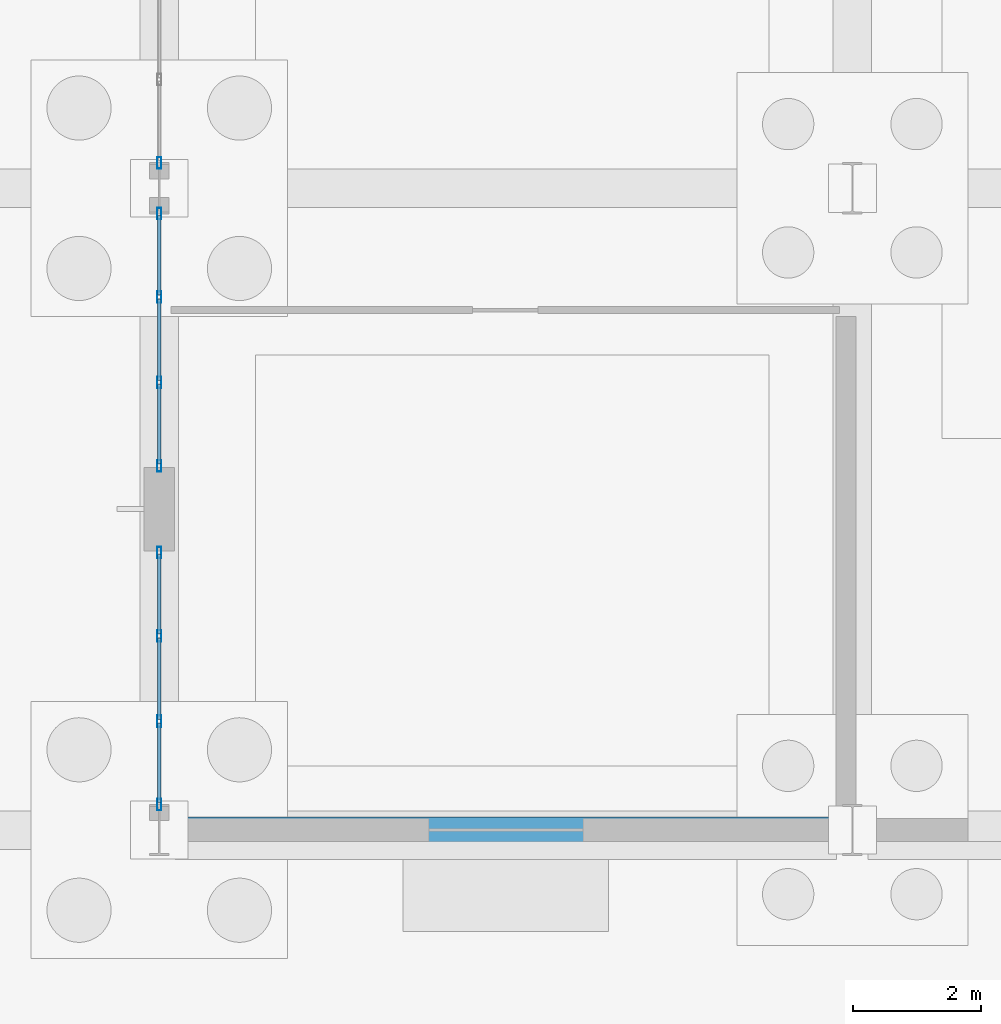
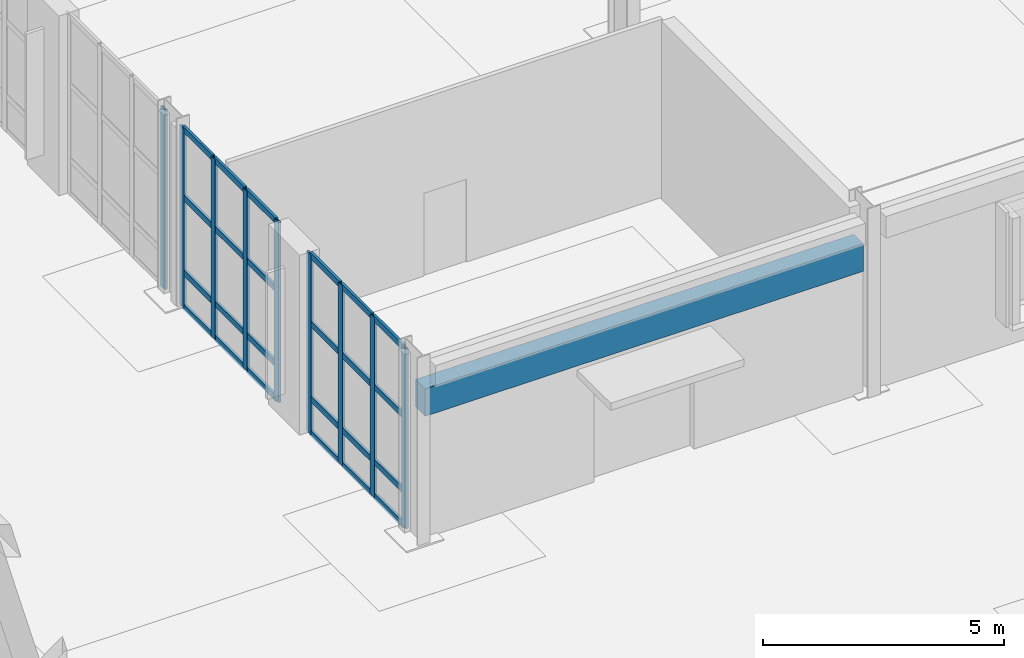
# One storey, part 28 of 73: 33 members, 1 beam, 3 elements without a shape of their own.
"""IFC4 building model written with IfcOpenShell, lengths in metres."""

from ifc_helpers import new_model, si_unit, direction, frame, origin, origin_2d, place, context, subcontext, project, spatial, rectangle, hollow_rectangle, extrude, material, layer, layer_set, material_profile, profile_set, type_object, element, aggregate, save


model = new_model("IFC4")

# Units and contexts
model_context = context("Model", 3, precision=1e-05, world=origin(), true_north=direction((0.0, 1.0)))
body_context = subcontext(model_context, "Body", "Model", "MODEL_VIEW")
ifc_project = project(units=[si_unit("LENGTHUNIT", "METRE"), si_unit("AREAUNIT", "SQUARE_METRE"), si_unit("VOLUMEUNIT", "CUBIC_METRE"), si_unit("PLANEANGLEUNIT", "RADIAN"), si_unit("MASSUNIT", "GRAM", prefix="KILO")], contexts=[model_context])

# Site, building, storey
site_placement = place(None, origin())
site = spatial("IfcSite", under=ifc_project, at=site_placement, CompositionType="ELEMENT")
building_placement = place(site_placement, origin())
building = spatial("IfcBuilding", under=site, at=building_placement, Name="Tasgan Crest Museum", CompositionType="ELEMENT")
storey_placement = place(building_placement, origin())
storey = spatial("IfcBuildingStorey", under=building, at=storey_placement, Name="L00", CompositionType="ELEMENT", Elevation=0.0)

# Beam
ifc_material_1 = material(Name="Precast concrete C40/50", Category="concrete")
ifc_material_profile_1 = material_profile(ifc_material_1, rectangle(XDim=0.39990234375, YDim=0.699951171875, at=origin_2d()), Name="RC 400x700")
ifc_profile_set_1 = profile_set([ifc_material_profile_1], Name="Precast concrete C40/50")
beam_type = type_object("IfcBeamType", Name="BM-LINTEL-1", PredefinedType="LINTEL", material=ifc_profile_set_1)
beam_placement = place(storey_placement, frame((64.945068359375, 20.0, 3.449951171875), z_axis=(1.0, 0.0, 0.0), x_axis=(0.0, 1.0, 0.0)))
element("IfcBeam", 1, at=beam_placement, inside=storey, type_object=beam_type, Name="Portal lintel beam 01", PredefinedType="LINTEL", context=body_context, shape_type="SweptSolid", body=[
    extrude(rectangle(XDim=0.39990234375, YDim=0.699951171875, at=origin_2d()), origin(), (0.0, 0.0, 1.0), 10.510009765625),
])

# Curtain wall, member
ifc_material_2 = material(Name="Triple-Glazed Aluminium Curtain Wall", Category="aluminium")
ifc_layer = layer(ifc_material_2, 0.179931640625, Name="CW-PORCH-Y")
ifc_layer_set = layer_set([ifc_layer], Name="Triple-Glazed Aluminium Curtain Wall")
curtain_wall_type = type_object("IfcCurtainWallType", Name="CW-PORCH-Y", PredefinedType="NOTDEFINED", material=ifc_layer_set)
curtain_wall_1_placement = place(storey_placement, origin())
curtain_wall_1 = element("IfcCurtainWall", 2, at=curtain_wall_1_placement, inside=storey, type_object=curtain_wall_type, Name="Curtain wall L00 004", PredefinedType="NOTDEFINED")
ifc_material_3 = material(Name="Anodised Aluminium", Category="aluminium")
ifc_material_profile_2 = material_profile(ifc_material_3, hollow_rectangle(XDim=0.06494140625, YDim=0.179931640625, WallThickness=0.0048828125, at=origin_2d()), Name="ALU MULLION 180x65x5")
ifc_profile_set_2 = profile_set([ifc_material_profile_2], Name="Anodised Aluminium")
member_type_1 = type_object("IfcMemberType", Name="CW-MULLION-180", PredefinedType="MULLION", material=ifc_profile_set_2)
member_1_placement = place(storey_placement, frame((64.800048828125, 30.39501953125, 0.0), z_axis=(0.0, 0.0, 1.0), x_axis=(1.0, 0.0, 0.0)))
member_1 = element("IfcMember", 3, at=member_1_placement, type_object=member_type_1, Name="CW02 mullion 4", PredefinedType="MULLION", context=body_context, shape_type="SweptSolid", body=[
    extrude(hollow_rectangle(XDim=0.06494140625, YDim=0.179931640625, WallThickness=0.0048828125, at=origin_2d()), origin(), (0.0, 0.0, 1.0), 4.56005859375),
])
aggregate(curtain_wall_1, [member_1])

# Curtain wall, members
curtain_wall_2_placement = place(storey_placement, origin())
curtain_wall_2 = element("IfcCurtainWall", 4, at=curtain_wall_2_placement, inside=storey, type_object=curtain_wall_type, Name="Curtain wall L00 005", PredefinedType="NOTDEFINED")
member_2_placement = place(storey_placement, frame((64.800048828125, 29.60498046875, 0.0), z_axis=(0.0, 0.0, 1.0), x_axis=(1.0, 0.0, 0.0)))
member_2 = element("IfcMember", 5, at=member_2_placement, type_object=member_type_1, Name="CW02 mullion 1", PredefinedType="MULLION", context=body_context, shape_type="SweptSolid", body=[
    extrude(hollow_rectangle(XDim=0.06494140625, YDim=0.179931640625, WallThickness=0.0048828125, at=origin_2d()), origin(), (0.0, 0.0, 1.0), 4.56005859375),
])
member_3_placement = place(storey_placement, frame((64.800048828125, 28.304931640625, 0.0), z_axis=(0.0, 0.0, 1.0), x_axis=(1.0, 0.0, 0.0)))
member_3 = element("IfcMember", 6, at=member_3_placement, type_object=member_type_1, Name="CW02 mullion 2", PredefinedType="MULLION", context=body_context, shape_type="SweptSolid", body=[
    extrude(hollow_rectangle(XDim=0.06494140625, YDim=0.179931640625, WallThickness=0.0048828125, at=origin_2d()), origin(), (0.0, 0.0, 1.0), 4.56005859375),
])
member_4_placement = place(storey_placement, frame((64.800048828125, 26.97509765625, 0.0), z_axis=(0.0, 0.0, 1.0), x_axis=(1.0, 0.0, 0.0)))
member_4 = element("IfcMember", 7, at=member_4_placement, type_object=member_type_1, Name="CW02 mullion 3", PredefinedType="MULLION", context=body_context, shape_type="SweptSolid", body=[
    extrude(hollow_rectangle(XDim=0.06494140625, YDim=0.179931640625, WallThickness=0.0048828125, at=origin_2d()), origin(), (0.0, 0.0, 1.0), 4.56005859375),
])
member_5_placement = place(storey_placement, frame((64.800048828125, 25.675048828125, 0.0), z_axis=(0.0, 0.0, 1.0), x_axis=(1.0, 0.0, 0.0)))
member_5 = element("IfcMember", 8, at=member_5_placement, type_object=member_type_1, Name="CW02 mullion 4", PredefinedType="MULLION", context=body_context, shape_type="SweptSolid", body=[
    extrude(hollow_rectangle(XDim=0.06494140625, YDim=0.179931640625, WallThickness=0.0048828125, at=origin_2d()), origin(), (0.0, 0.0, 1.0), 4.56005859375),
])

curtain_wall_3_placement = place(storey_placement, origin())
curtain_wall_3 = element("IfcCurtainWall", 9, at=curtain_wall_3_placement, inside=storey, type_object=curtain_wall_type, Name="Curtain wall L00 006", PredefinedType="NOTDEFINED")
member_6_placement = place(storey_placement, frame((64.800048828125, 24.324951171875, 0.0), z_axis=(0.0, 0.0, 1.0), x_axis=(1.0, 0.0, 0.0)))
member_6 = element("IfcMember", 10, at=member_6_placement, type_object=member_type_1, Name="CW02 mullion 1", PredefinedType="MULLION", context=body_context, shape_type="SweptSolid", body=[
    extrude(hollow_rectangle(XDim=0.06494140625, YDim=0.179931640625, WallThickness=0.0048828125, at=origin_2d()), origin(), (0.0, 0.0, 1.0), 4.56005859375),
])
member_7_placement = place(storey_placement, frame((64.800048828125, 23.02490234375, 0.0), z_axis=(0.0, 0.0, 1.0), x_axis=(1.0, 0.0, 0.0)))
member_7 = element("IfcMember", 11, at=member_7_placement, type_object=member_type_1, Name="CW02 mullion 2", PredefinedType="MULLION", context=body_context, shape_type="SweptSolid", body=[
    extrude(hollow_rectangle(XDim=0.06494140625, YDim=0.179931640625, WallThickness=0.0048828125, at=origin_2d()), origin(), (0.0, 0.0, 1.0), 4.56005859375),
])
member_8_placement = place(storey_placement, frame((64.800048828125, 21.695068359375, 0.0), z_axis=(0.0, 0.0, 1.0), x_axis=(1.0, 0.0, 0.0)))
member_8 = element("IfcMember", 12, at=member_8_placement, type_object=member_type_1, Name="CW02 mullion 3", PredefinedType="MULLION", context=body_context, shape_type="SweptSolid", body=[
    extrude(hollow_rectangle(XDim=0.06494140625, YDim=0.179931640625, WallThickness=0.0048828125, at=origin_2d()), origin(), (0.0, 0.0, 1.0), 4.56005859375),
])
member_9_placement = place(storey_placement, frame((64.800048828125, 20.39501953125, 0.0), z_axis=(0.0, 0.0, 1.0), x_axis=(1.0, 0.0, 0.0)))
member_9 = element("IfcMember", 13, at=member_9_placement, type_object=member_type_1, Name="CW02 mullion 4", PredefinedType="MULLION", context=body_context, shape_type="SweptSolid", body=[
    extrude(hollow_rectangle(XDim=0.06494140625, YDim=0.179931640625, WallThickness=0.0048828125, at=origin_2d()), origin(), (0.0, 0.0, 1.0), 4.56005859375),
])

# Member
ifc_material_4 = material(Name="Anodised Aluminium", Category="aluminium")
ifc_material_profile_3 = material_profile(ifc_material_4, hollow_rectangle(XDim=0.06005859375, YDim=0.14990234375, WallThickness=0.0048828125, at=origin_2d()), Name="ALU TRANSOM 150x60x5")
ifc_profile_set_3 = profile_set([ifc_material_profile_3], Name="Anodised Aluminium")
member_type_2 = type_object("IfcMemberType", Name="CW-TRANSOM-150", PredefinedType="USERDEFINED", material=ifc_profile_set_3)
member_10_placement = place(storey_placement, frame((64.800048828125, 29.574951171875, 0.030029296875), z_axis=(0.0, -1.0, 0.0), x_axis=(1.0, 0.0, 0.0)))
member_10 = element("IfcMember", 14, at=member_10_placement, type_object=member_type_2, Name="CW02 transom 1.1", ObjectType="TRANSOM", PredefinedType="USERDEFINED", context=body_context, shape_type="SweptSolid", body=[
    extrude(hollow_rectangle(XDim=0.06005859375, YDim=0.14990234375, WallThickness=0.0048828125, at=origin_2d()), origin(), (0.0, 0.0, 1.0), 1.239990234375),
])

member_11_placement = place(storey_placement, frame((64.800048828125, 29.574951171875, 0.89990234375), z_axis=(0.0, -1.0, 0.0), x_axis=(1.0, 0.0, 0.0)))
member_11 = element("IfcMember", 15, at=member_11_placement, type_object=member_type_2, Name="CW02 transom 1.2", ObjectType="TRANSOM", PredefinedType="USERDEFINED", context=body_context, shape_type="SweptSolid", body=[
    extrude(hollow_rectangle(XDim=0.06005859375, YDim=0.14990234375, WallThickness=0.0048828125, at=origin_2d()), origin(), (0.0, 0.0, 1.0), 1.239990234375),
])

member_12_placement = place(storey_placement, frame((64.800048828125, 29.574951171875, 2.800048828125), z_axis=(0.0, -1.0, 0.0), x_axis=(1.0, 0.0, 0.0)))
member_12 = element("IfcMember", 16, at=member_12_placement, type_object=member_type_2, Name="CW02 transom 1.3", ObjectType="TRANSOM", PredefinedType="USERDEFINED", context=body_context, shape_type="SweptSolid", body=[
    extrude(hollow_rectangle(XDim=0.06005859375, YDim=0.14990234375, WallThickness=0.0048828125, at=origin_2d()), origin(), (0.0, 0.0, 1.0), 1.239990234375),
])

member_13_placement = place(storey_placement, frame((64.800048828125, 29.574951171875, 4.530029296875), z_axis=(0.0, -1.0, 0.0), x_axis=(1.0, 0.0, 0.0)))
member_13 = element("IfcMember", 17, at=member_13_placement, type_object=member_type_2, Name="CW02 transom 1.4", ObjectType="TRANSOM", PredefinedType="USERDEFINED", context=body_context, shape_type="SweptSolid", body=[
    extrude(hollow_rectangle(XDim=0.06005859375, YDim=0.14990234375, WallThickness=0.0048828125, at=origin_2d()), origin(), (0.0, 0.0, 1.0), 1.239990234375),
])

member_14_placement = place(storey_placement, frame((64.800048828125, 28.27490234375, 0.030029296875), z_axis=(0.0, -1.0, 0.0), x_axis=(1.0, 0.0, 0.0)))
member_14 = element("IfcMember", 18, at=member_14_placement, type_object=member_type_2, Name="CW02 transom 2.1", ObjectType="TRANSOM", PredefinedType="USERDEFINED", context=body_context, shape_type="SweptSolid", body=[
    extrude(hollow_rectangle(XDim=0.06005859375, YDim=0.14990234375, WallThickness=0.0048828125, at=origin_2d()), origin(), (0.0, 0.0, 1.0), 1.27001953125),
])

member_15_placement = place(storey_placement, frame((64.800048828125, 28.27490234375, 0.89990234375), z_axis=(0.0, -1.0, 0.0), x_axis=(1.0, 0.0, 0.0)))
member_15 = element("IfcMember", 19, at=member_15_placement, type_object=member_type_2, Name="CW02 transom 2.2", ObjectType="TRANSOM", PredefinedType="USERDEFINED", context=body_context, shape_type="SweptSolid", body=[
    extrude(hollow_rectangle(XDim=0.06005859375, YDim=0.14990234375, WallThickness=0.0048828125, at=origin_2d()), origin(), (0.0, 0.0, 1.0), 1.27001953125),
])

member_16_placement = place(storey_placement, frame((64.800048828125, 28.27490234375, 2.800048828125), z_axis=(0.0, -1.0, 0.0), x_axis=(1.0, 0.0, 0.0)))
member_16 = element("IfcMember", 20, at=member_16_placement, type_object=member_type_2, Name="CW02 transom 2.3", ObjectType="TRANSOM", PredefinedType="USERDEFINED", context=body_context, shape_type="SweptSolid", body=[
    extrude(hollow_rectangle(XDim=0.06005859375, YDim=0.14990234375, WallThickness=0.0048828125, at=origin_2d()), origin(), (0.0, 0.0, 1.0), 1.27001953125),
])

member_17_placement = place(storey_placement, frame((64.800048828125, 28.27490234375, 4.530029296875), z_axis=(0.0, -1.0, 0.0), x_axis=(1.0, 0.0, 0.0)))
member_17 = element("IfcMember", 21, at=member_17_placement, type_object=member_type_2, Name="CW02 transom 2.4", ObjectType="TRANSOM", PredefinedType="USERDEFINED", context=body_context, shape_type="SweptSolid", body=[
    extrude(hollow_rectangle(XDim=0.06005859375, YDim=0.14990234375, WallThickness=0.0048828125, at=origin_2d()), origin(), (0.0, 0.0, 1.0), 1.27001953125),
])

member_18_placement = place(storey_placement, frame((64.800048828125, 26.945068359375, 0.030029296875), z_axis=(0.0, -1.0, 0.0), x_axis=(1.0, 0.0, 0.0)))
member_18 = element("IfcMember", 22, at=member_18_placement, type_object=member_type_2, Name="CW02 transom 3.1", ObjectType="TRANSOM", PredefinedType="USERDEFINED", context=body_context, shape_type="SweptSolid", body=[
    extrude(hollow_rectangle(XDim=0.06005859375, YDim=0.14990234375, WallThickness=0.0048828125, at=origin_2d()), origin(), (0.0, 0.0, 1.0), 1.239990234375),
])

member_19_placement = place(storey_placement, frame((64.800048828125, 26.945068359375, 0.89990234375), z_axis=(0.0, -1.0, 0.0), x_axis=(1.0, 0.0, 0.0)))
member_19 = element("IfcMember", 23, at=member_19_placement, type_object=member_type_2, Name="CW02 transom 3.2", ObjectType="TRANSOM", PredefinedType="USERDEFINED", context=body_context, shape_type="SweptSolid", body=[
    extrude(hollow_rectangle(XDim=0.06005859375, YDim=0.14990234375, WallThickness=0.0048828125, at=origin_2d()), origin(), (0.0, 0.0, 1.0), 1.239990234375),
])

member_20_placement = place(storey_placement, frame((64.800048828125, 26.945068359375, 2.800048828125), z_axis=(0.0, -1.0, 0.0), x_axis=(1.0, 0.0, 0.0)))
member_20 = element("IfcMember", 24, at=member_20_placement, type_object=member_type_2, Name="CW02 transom 3.3", ObjectType="TRANSOM", PredefinedType="USERDEFINED", context=body_context, shape_type="SweptSolid", body=[
    extrude(hollow_rectangle(XDim=0.06005859375, YDim=0.14990234375, WallThickness=0.0048828125, at=origin_2d()), origin(), (0.0, 0.0, 1.0), 1.239990234375),
])

member_21_placement = place(storey_placement, frame((64.800048828125, 26.945068359375, 4.530029296875), z_axis=(0.0, -1.0, 0.0), x_axis=(1.0, 0.0, 0.0)))
member_21 = element("IfcMember", 25, at=member_21_placement, type_object=member_type_2, Name="CW02 transom 3.4", ObjectType="TRANSOM", PredefinedType="USERDEFINED", context=body_context, shape_type="SweptSolid", body=[
    extrude(hollow_rectangle(XDim=0.06005859375, YDim=0.14990234375, WallThickness=0.0048828125, at=origin_2d()), origin(), (0.0, 0.0, 1.0), 1.239990234375),
])

aggregate(curtain_wall_2, [member_2, member_3, member_4, member_5, member_10, member_11, member_12, member_13, member_14, member_15, member_16, member_17, member_18, member_19, member_20, member_21])

member_22_placement = place(storey_placement, frame((64.800048828125, 24.294921875, 0.030029296875), z_axis=(0.0, -1.0, 0.0), x_axis=(1.0, 0.0, 0.0)))
member_22 = element("IfcMember", 26, at=member_22_placement, type_object=member_type_2, Name="CW02 transom 1.1", ObjectType="TRANSOM", PredefinedType="USERDEFINED", context=body_context, shape_type="SweptSolid", body=[
    extrude(hollow_rectangle(XDim=0.06005859375, YDim=0.14990234375, WallThickness=0.0048828125, at=origin_2d()), origin(), (0.0, 0.0, 1.0), 1.239990234375),
])

member_23_placement = place(storey_placement, frame((64.800048828125, 24.294921875, 0.89990234375), z_axis=(0.0, -1.0, 0.0), x_axis=(1.0, 0.0, 0.0)))
member_23 = element("IfcMember", 27, at=member_23_placement, type_object=member_type_2, Name="CW02 transom 1.2", ObjectType="TRANSOM", PredefinedType="USERDEFINED", context=body_context, shape_type="SweptSolid", body=[
    extrude(hollow_rectangle(XDim=0.06005859375, YDim=0.14990234375, WallThickness=0.0048828125, at=origin_2d()), origin(), (0.0, 0.0, 1.0), 1.239990234375),
])

member_24_placement = place(storey_placement, frame((64.800048828125, 24.294921875, 2.800048828125), z_axis=(0.0, -1.0, 0.0), x_axis=(1.0, 0.0, 0.0)))
member_24 = element("IfcMember", 28, at=member_24_placement, type_object=member_type_2, Name="CW02 transom 1.3", ObjectType="TRANSOM", PredefinedType="USERDEFINED", context=body_context, shape_type="SweptSolid", body=[
    extrude(hollow_rectangle(XDim=0.06005859375, YDim=0.14990234375, WallThickness=0.0048828125, at=origin_2d()), origin(), (0.0, 0.0, 1.0), 1.239990234375),
])

member_25_placement = place(storey_placement, frame((64.800048828125, 24.294921875, 4.530029296875), z_axis=(0.0, -1.0, 0.0), x_axis=(1.0, 0.0, 0.0)))
member_25 = element("IfcMember", 29, at=member_25_placement, type_object=member_type_2, Name="CW02 transom 1.4", ObjectType="TRANSOM", PredefinedType="USERDEFINED", context=body_context, shape_type="SweptSolid", body=[
    extrude(hollow_rectangle(XDim=0.06005859375, YDim=0.14990234375, WallThickness=0.0048828125, at=origin_2d()), origin(), (0.0, 0.0, 1.0), 1.239990234375),
])

member_26_placement = place(storey_placement, frame((64.800048828125, 22.9951171875, 0.030029296875), z_axis=(0.0, -1.0, 0.0), x_axis=(1.0, 0.0, 0.0)))
member_26 = element("IfcMember", 30, at=member_26_placement, type_object=member_type_2, Name="CW02 transom 2.1", ObjectType="TRANSOM", PredefinedType="USERDEFINED", context=body_context, shape_type="SweptSolid", body=[
    extrude(hollow_rectangle(XDim=0.06005859375, YDim=0.14990234375, WallThickness=0.0048828125, at=origin_2d()), origin(), (0.0, 0.0, 1.0), 1.27001953125),
])

member_27_placement = place(storey_placement, frame((64.800048828125, 22.9951171875, 0.89990234375), z_axis=(0.0, -1.0, 0.0), x_axis=(1.0, 0.0, 0.0)))
member_27 = element("IfcMember", 31, at=member_27_placement, type_object=member_type_2, Name="CW02 transom 2.2", ObjectType="TRANSOM", PredefinedType="USERDEFINED", context=body_context, shape_type="SweptSolid", body=[
    extrude(hollow_rectangle(XDim=0.06005859375, YDim=0.14990234375, WallThickness=0.0048828125, at=origin_2d()), origin(), (0.0, 0.0, 1.0), 1.27001953125),
])

member_28_placement = place(storey_placement, frame((64.800048828125, 22.9951171875, 2.800048828125), z_axis=(0.0, -1.0, 0.0), x_axis=(1.0, 0.0, 0.0)))
member_28 = element("IfcMember", 32, at=member_28_placement, type_object=member_type_2, Name="CW02 transom 2.3", ObjectType="TRANSOM", PredefinedType="USERDEFINED", context=body_context, shape_type="SweptSolid", body=[
    extrude(hollow_rectangle(XDim=0.06005859375, YDim=0.14990234375, WallThickness=0.0048828125, at=origin_2d()), origin(), (0.0, 0.0, 1.0), 1.27001953125),
])

member_29_placement = place(storey_placement, frame((64.800048828125, 22.9951171875, 4.530029296875), z_axis=(0.0, -1.0, 0.0), x_axis=(1.0, 0.0, 0.0)))
member_29 = element("IfcMember", 33, at=member_29_placement, type_object=member_type_2, Name="CW02 transom 2.4", ObjectType="TRANSOM", PredefinedType="USERDEFINED", context=body_context, shape_type="SweptSolid", body=[
    extrude(hollow_rectangle(XDim=0.06005859375, YDim=0.14990234375, WallThickness=0.0048828125, at=origin_2d()), origin(), (0.0, 0.0, 1.0), 1.27001953125),
])

member_30_placement = place(storey_placement, frame((64.800048828125, 21.6650390625, 0.030029296875), z_axis=(0.0, -1.0, 0.0), x_axis=(1.0, 0.0, 0.0)))
member_30 = element("IfcMember", 34, at=member_30_placement, type_object=member_type_2, Name="CW02 transom 3.1", ObjectType="TRANSOM", PredefinedType="USERDEFINED", context=body_context, shape_type="SweptSolid", body=[
    extrude(hollow_rectangle(XDim=0.06005859375, YDim=0.14990234375, WallThickness=0.0048828125, at=origin_2d()), origin(), (0.0, 0.0, 1.0), 1.239990234375),
])

member_31_placement = place(storey_placement, frame((64.800048828125, 21.6650390625, 0.89990234375), z_axis=(0.0, -1.0, 0.0), x_axis=(1.0, 0.0, 0.0)))
member_31 = element("IfcMember", 35, at=member_31_placement, type_object=member_type_2, Name="CW02 transom 3.2", ObjectType="TRANSOM", PredefinedType="USERDEFINED", context=body_context, shape_type="SweptSolid", body=[
    extrude(hollow_rectangle(XDim=0.06005859375, YDim=0.14990234375, WallThickness=0.0048828125, at=origin_2d()), origin(), (0.0, 0.0, 1.0), 1.239990234375),
])

member_32_placement = place(storey_placement, frame((64.800048828125, 21.6650390625, 2.800048828125), z_axis=(0.0, -1.0, 0.0), x_axis=(1.0, 0.0, 0.0)))
member_32 = element("IfcMember", 36, at=member_32_placement, type_object=member_type_2, Name="CW02 transom 3.3", ObjectType="TRANSOM", PredefinedType="USERDEFINED", context=body_context, shape_type="SweptSolid", body=[
    extrude(hollow_rectangle(XDim=0.06005859375, YDim=0.14990234375, WallThickness=0.0048828125, at=origin_2d()), origin(), (0.0, 0.0, 1.0), 1.239990234375),
])

member_33_placement = place(storey_placement, frame((64.800048828125, 21.6650390625, 4.530029296875), z_axis=(0.0, -1.0, 0.0), x_axis=(1.0, 0.0, 0.0)))
member_33 = element("IfcMember", 37, at=member_33_placement, type_object=member_type_2, Name="CW02 transom 3.4", ObjectType="TRANSOM", PredefinedType="USERDEFINED", context=body_context, shape_type="SweptSolid", body=[
    extrude(hollow_rectangle(XDim=0.06005859375, YDim=0.14990234375, WallThickness=0.0048828125, at=origin_2d()), origin(), (0.0, 0.0, 1.0), 1.239990234375),
])

aggregate(curtain_wall_3, [member_6, member_7, member_8, member_9, member_22, member_23, member_24, member_25, member_26, member_27, member_28, member_29, member_30, member_31, member_32, member_33])

save(model, "model.ifc")
